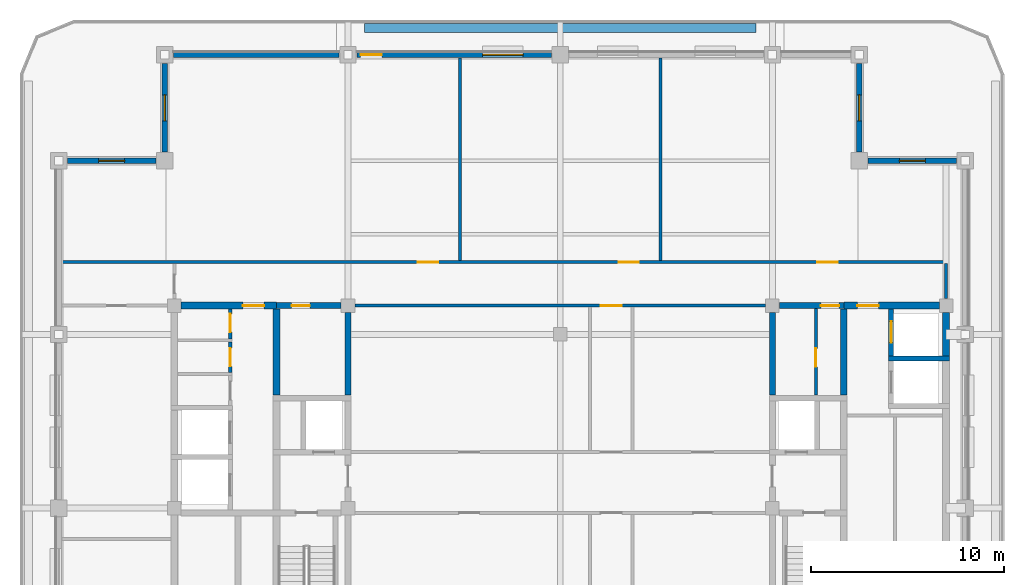
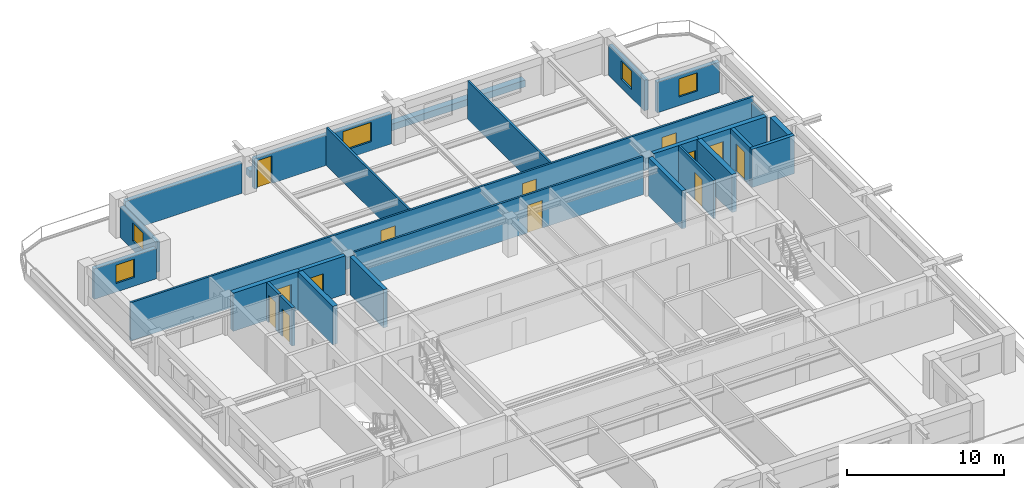
# One storey, part 5 of 11: 26 walls, 13 doors, 5 windows, 18 openings.
"""IFC4 building model written with IfcOpenShell, lengths in metres."""

from ifc_helpers import new_model, si_unit, direction, frame, frame_2d, origin, place, context, subcontext, project, spatial, rectangle, extrude, material, layer, layer_set, type_object, element, fill, save


model = new_model("IFC4")

# Units and contexts
model_context = context("Model", 3, precision=1e-05, world=origin(), true_north=direction((0.0, 1.0)))
body_context = subcontext(model_context, "Body", "Model", "MODEL_VIEW")
ifc_project = project(units=[si_unit("LENGTHUNIT", "METRE"), si_unit("AREAUNIT", "SQUARE_METRE"), si_unit("VOLUMEUNIT", "CUBIC_METRE"), si_unit("PLANEANGLEUNIT", "RADIAN"), si_unit("MASSUNIT", "GRAM", prefix="KILO")], contexts=[model_context])

# Site, building, storey
site_placement = place(None, origin())
site = spatial("IfcSite", under=ifc_project, at=site_placement, CompositionType="ELEMENT")
building_placement = place(site_placement, origin())
building = spatial("IfcBuilding", under=site, at=building_placement, Name="Zulmaris Gate Convention Tower", CompositionType="ELEMENT")
storey_placement = place(building_placement, frame((0.0, 0.0, 257.659912109375)))
storey = spatial("IfcBuildingStorey", under=building, at=storey_placement, Name="L68", CompositionType="ELEMENT", Elevation=257.659912109375)

# Wall
ifc_material_1 = material(Name="Concrete C50/60", Category="concrete")
ifc_layer_1 = layer(ifc_material_1, 0.25, Name="Concrete C50/60")
ifc_layer_set_1 = layer_set([ifc_layer_1], Name="Concrete C50/60")
wall_type_1 = type_object("IfcWallType", Name="CORE-250", PredefinedType="SOLIDWALL", material=ifc_layer_set_1)
wall_1_placement = place(storey_placement, frame((17.02490234375, 7.75, 0.0), z_axis=(0.0, 0.0, 1.0), x_axis=(1.0, 0.0, 0.0)))
element("IfcWall", 1, at=wall_1_placement, inside=storey, type_object=wall_type_1, Name="WL-L68-014", PredefinedType="SOLIDWALL", context=body_context, shape_type="SweptSolid", body=[
    extrude(rectangle(XDim=3.150146484375, YDim=0.25, at=frame_2d((1.5751953125, 0.0))), origin(), (0.0, 0.0, 1.0), 2.97998046875),
])

# Wall, opening, door
wall_2_placement = place(storey_placement, frame((17.14990234375, 7.876953125, 0.0), z_axis=(0.0, 0.0, 1.0), x_axis=(0.0, 1.0, 0.0)))
wall_2 = element("IfcWall", 2, at=wall_2_placement, inside=storey, type_object=wall_type_1, Name="WL-L68-061", PredefinedType="SOLIDWALL", context=body_context, shape_type="SweptSolid", body=[
    extrude(rectangle(XDim=2.446044921875, YDim=0.25, at=frame_2d((1.22314453125, 0.0))), origin(), (0.0, 0.0, 1.0), 2.97998046875),
])
opening_1_placement = place(wall_2_placement, frame((0.697998046875, 0.0, 0.0)))
opening_1 = element("IfcOpeningElement", 3, at=opening_1_placement, cuts=wall_2, Name="Opening D-06", PredefinedType="OPENING", context=body_context, shape_type="SweptSolid", body=[
    extrude(rectangle(XDim=1.10009765625, YDim=2.199951171875, at=frame_2d((0.550048828125, 1.10009765625))), frame((0.0, 0.135009765625, 0.0), z_axis=(0.0, -1.0, 0.0), x_axis=(1.0, 0.0, 0.0)), (0.0, 0.0, 1.0), 0.27001953125),
])
ifc_material_2 = material(Name="Brushed Stainless Steel", Category="steel")
door_type_1 = type_object("IfcDoorType", Name="LD-1100", OperationType="NOTDEFINED", PredefinedType="DOOR", material=ifc_material_2)
door_1_placement = place(opening_1_placement, origin())
door_1 = element("IfcDoor", 4, at=door_1_placement, inside=storey, type_object=door_type_1, Name="L68 Lift Landing Door HP-02 18", OperationType="SLIDING_TO_RIGHT", OverallHeight=2.199951171875, OverallWidth=1.10009765625, PredefinedType="DOOR", context=body_context, shape_type="SweptSolid", body=[
    extrude(rectangle(XDim=1.10009765625, YDim=2.199951171875, at=frame_2d((0.550048828125, 1.10009765625))), frame((0.0, 0.02490234375, 0.0), z_axis=(0.0, -1.0, 0.0), x_axis=(1.0, 0.0, 0.0)), (0.0, 0.0, 1.0), 0.050048828125),
])
fill(opening_1, door_1)

ifc_layer_2 = layer(ifc_material_1, 0.300048828125, Name="Concrete C50/60")
ifc_layer_set_2 = layer_set([ifc_layer_2], Name="Concrete C50/60")
wall_type_2 = type_object("IfcWallType", Name="CORE-300", PredefinedType="SHEAR", material=ifc_layer_set_2)
wall_3_placement = place(storey_placement, frame((-14.699951171875, 10.5, 0.0), z_axis=(0.0, 0.0, 1.0), x_axis=(1.0, 0.0, 0.0)))
wall_3 = element("IfcWall", 5, at=wall_3_placement, inside=storey, type_object=wall_type_2, Name="WL-L68-016", PredefinedType="SHEAR", context=body_context, shape_type="SweptSolid", body=[
    extrude(rectangle(XDim=3.345947265625, YDim=0.300048828125, at=frame_2d((1.6728515625, 0.0))), origin(), (0.0, 0.0, 1.0), 2.97998046875),
])
opening_2_placement = place(wall_3_placement, frame((0.77490234375, 0.0, 0.0)))
opening_2 = element("IfcOpeningElement", 6, at=opening_2_placement, cuts=wall_3, Name="Opening D-11", PredefinedType="OPENING", context=body_context, shape_type="SweptSolid", body=[
    extrude(rectangle(XDim=0.949951171875, YDim=2.14990234375, at=frame_2d((0.47509765625, 1.074951171875))), frame((0.0, 0.16015625, 0.0), z_axis=(0.0, -1.0, 0.0), x_axis=(1.0, 0.0, 0.0)), (0.0, 0.0, 1.0), 0.320068359375),
])
ifc_material_3 = material(Name="Fire-Rated Timber", Category="wood")
door_type_2 = type_object("IfcDoorType", Name="DR-950-FD", OperationType="NOTDEFINED", PredefinedType="DOOR", material=ifc_material_3)
door_2_placement = place(opening_2_placement, origin())
door_2 = element("IfcDoor", 7, at=door_2_placement, inside=storey, type_object=door_type_2, Name="L68 Core Archive Door 07", OperationType="SINGLE_SWING_LEFT", OverallHeight=2.14990234375, OverallWidth=0.949951171875, PredefinedType="DOOR", context=body_context, shape_type="SweptSolid", body=[
    extrude(rectangle(XDim=0.949951171875, YDim=2.14990234375, at=frame_2d((0.47509765625, 1.074951171875))), frame((0.0, 0.02490234375, 0.0), z_axis=(0.0, -1.0, 0.0), x_axis=(1.0, 0.0, 0.0)), (0.0, 0.0, 1.0), 0.050048828125),
])
fill(opening_2, door_2)

wall_4_placement = place(storey_placement, frame((11.35400390625, 10.5, 0.0), z_axis=(0.0, 0.0, 1.0), x_axis=(1.0, 0.0, 0.0)))
wall_4 = element("IfcWall", 8, at=wall_4_placement, inside=storey, type_object=wall_type_2, Name="WL-L68-017", PredefinedType="SHEAR", context=body_context, shape_type="SweptSolid", body=[
    extrude(rectangle(XDim=3.345947265625, YDim=0.300048828125, at=frame_2d((1.6728515625, 0.0))), origin(), (0.0, 0.0, 1.0), 2.97998046875),
])
opening_3_placement = place(wall_4_placement, frame((2.15087890625, 0.0, 0.0)))
opening_3 = element("IfcOpeningElement", 9, at=opening_3_placement, cuts=wall_4, Name="Opening D-11", PredefinedType="OPENING", context=body_context, shape_type="SweptSolid", body=[
    extrude(rectangle(XDim=0.949951171875, YDim=2.14990234375, at=frame_2d((0.47509765625, 1.074951171875))), frame((0.0, 0.16015625, 0.0), z_axis=(0.0, -1.0, 0.0), x_axis=(1.0, 0.0, 0.0)), (0.0, 0.0, 1.0), 0.320068359375),
])
door_3_placement = place(opening_3_placement, origin())
door_3 = element("IfcDoor", 10, at=door_3_placement, inside=storey, type_object=door_type_2, Name="L68 Core Linen Closet Door 08", OperationType="SINGLE_SWING_RIGHT", OverallHeight=2.14990234375, OverallWidth=0.949951171875, PredefinedType="DOOR", context=body_context, shape_type="SweptSolid", body=[
    extrude(rectangle(XDim=0.949951171875, YDim=2.14990234375, at=frame_2d((0.47509765625, 1.074951171875))), frame((0.0, 0.02490234375, 0.0), z_axis=(0.0, -1.0, 0.0), x_axis=(1.0, 0.0, 0.0)), (0.0, 0.0, 1.0), 0.050048828125),
])
fill(opening_3, door_3)

# Walls
for number, where, z_axis, x_axis, name in (
    (11, (-11.0, 5.85205078125, 0.0), (0.0, 0.0, 1.0), (0.0, 1.0, 0.0), "WL-L68-049"),
    (12, (11.0, 5.85205078125, 0.0), (0.0, 0.0, 1.0), (0.0, 1.0, 0.0), "WL-L68-053"),
):
    element("IfcWall", number, at=place(storey_placement, frame(where, z_axis=z_axis, x_axis=x_axis)), inside=storey, type_object=wall_type_2, Name=name, PredefinedType="SHEAR", context=body_context, shape_type="SweptSolid", body=[
        extrude(rectangle(XDim=4.2939453125, YDim=0.300048828125, at=frame_2d((2.14697265625, 0.0))), origin(), (0.0, 0.0, 1.0), 2.97998046875),
    ])

# Wall, opening, door
ifc_material_4 = material(Name="Concrete C55/67", Category="concrete")
ifc_layer_3 = layer(ifc_material_4, 0.35009765625, Name="Concrete C55/67")
ifc_layer_set_3 = layer_set([ifc_layer_3], Name="Concrete C55/67")
wall_type_3 = type_object("IfcWallType", Name="CORE-350", PredefinedType="SHEAR", material=ifc_layer_set_3)
wall_5_placement = place(storey_placement, frame((-19.64599609375, 10.5, 0.0), z_axis=(0.0, 0.0, 1.0), x_axis=(1.0, 0.0, 0.0)))
wall_5 = element("IfcWall", 13, at=wall_5_placement, inside=storey, type_object=wall_type_3, Name="WL-L68-015", PredefinedType="SHEAR", context=body_context, shape_type="SweptSolid", body=[
    extrude(rectangle(XDim=4.946044921875, YDim=0.35009765625, at=frame_2d((2.47314453125, 0.0))), origin(), (0.0, 0.0, 1.0), 2.97998046875),
])
opening_4_placement = place(wall_5_placement, frame((3.196044921875, 0.0, 0.0)))
opening_4 = element("IfcOpeningElement", 14, at=opening_4_placement, cuts=wall_5, Name="Opening D-08", PredefinedType="OPENING", context=body_context, shape_type="SweptSolid", body=[
    extrude(rectangle(XDim=1.10009765625, YDim=2.14990234375, at=frame_2d((0.550048828125, 1.074951171875))), frame((0.0, 0.18505859375, 0.0), z_axis=(0.0, -1.0, 0.0), x_axis=(1.0, 0.0, 0.0)), (0.0, 0.0, 1.0), 0.3701171875),
])
ifc_material_5 = material(Name="Fire-Rated Steel", Category="steel")
door_type_3 = type_object("IfcDoorType", Name="DR-1100-FD", OperationType="NOTDEFINED", PredefinedType="DOOR", material=ifc_material_5)
door_4_placement = place(opening_4_placement, origin())
door_4 = element("IfcDoor", 15, at=door_4_placement, inside=storey, type_object=door_type_3, Name="L68 High-Rise West Lift Lobby Door 13", OperationType="SINGLE_SWING_LEFT", OverallHeight=2.14990234375, OverallWidth=1.10009765625, PredefinedType="DOOR", context=body_context, shape_type="SweptSolid", body=[
    extrude(rectangle(XDim=1.10009765625, YDim=2.14990234375, at=frame_2d((0.550048828125, 1.074951171875))), frame((0.0, 0.02490234375, 0.0), z_axis=(0.0, -1.0, 0.0), x_axis=(1.0, 0.0, 0.0)), (0.0, 0.0, 1.0), 0.050048828125),
])
fill(opening_4, door_4)

wall_6_placement = place(storey_placement, frame((14.699951171875, 10.5, 0.0), z_axis=(0.0, 0.0, 1.0), x_axis=(1.0, 0.0, 0.0)))
wall_6 = element("IfcWall", 16, at=wall_6_placement, inside=storey, type_object=wall_type_3, Name="WL-L68-018", PredefinedType="SHEAR", context=body_context, shape_type="SweptSolid", body=[
    extrude(rectangle(XDim=4.946044921875, YDim=0.35009765625, at=frame_2d((2.47314453125, 0.0))), origin(), (0.0, 0.0, 1.0), 2.97998046875),
])
opening_5_placement = place(wall_6_placement, frame((0.699951171875, 0.0, 0.0)))
opening_5 = element("IfcOpeningElement", 17, at=opening_5_placement, cuts=wall_6, Name="Opening D-08", PredefinedType="OPENING", context=body_context, shape_type="SweptSolid", body=[
    extrude(rectangle(XDim=1.10009765625, YDim=2.14990234375, at=frame_2d((0.550048828125, 1.074951171875))), frame((0.0, 0.18505859375, 0.0), z_axis=(0.0, -1.0, 0.0), x_axis=(1.0, 0.0, 0.0)), (0.0, 0.0, 1.0), 0.3701171875),
])
door_5_placement = place(opening_5_placement, origin())
door_5 = element("IfcDoor", 18, at=door_5_placement, inside=storey, type_object=door_type_3, Name="L68 High-Rise East Lift Lobby Door 19", OperationType="SINGLE_SWING_LEFT", OverallHeight=2.14990234375, OverallWidth=1.10009765625, PredefinedType="DOOR", context=body_context, shape_type="SweptSolid", body=[
    extrude(rectangle(XDim=1.10009765625, YDim=2.14990234375, at=frame_2d((0.550048828125, 1.074951171875))), frame((0.0, 0.02490234375, 0.0), z_axis=(0.0, -1.0, 0.0), x_axis=(1.0, 0.0, 0.0)), (0.0, 0.0, 1.0), 0.050048828125),
])
fill(opening_5, door_5)

# Walls
for number, where, z_axis, x_axis, name in (
    (19, (-14.699951171875, 5.85205078125, 0.0), (0.0, 0.0, 1.0), (0.0, 1.0, 0.0), "WL-L68-043"),
    (20, (14.699951171875, 5.85205078125, 0.0), (0.0, 0.0, 1.0), (0.0, 1.0, 0.0), "WL-L68-059"),
):
    element("IfcWall", number, at=place(storey_placement, frame(where, z_axis=z_axis, x_axis=x_axis)), inside=storey, type_object=wall_type_3, Name=name, PredefinedType="SHEAR", context=body_context, shape_type="SweptSolid", body=[
        extrude(rectangle(XDim=4.470947265625, YDim=0.35009765625, at=frame_2d((2.2353515625, 0.0))), origin(), (0.0, 0.0, 1.0), 2.97998046875),
    ])
wall_7_placement = place(storey_placement, frame((20.0, 7.876953125, 0.0), z_axis=(0.0, 0.0, 1.0), x_axis=(0.0, 1.0, 0.0)))
element("IfcWall", 21, at=wall_7_placement, inside=storey, type_object=wall_type_3, Name="WL-L68-064", PredefinedType="SHEAR", context=body_context, shape_type="SweptSolid", body=[
    extrude(rectangle(XDim=2.26904296875, YDim=0.35009765625, at=frame_2d((1.134521484375, 0.0))), origin(), (0.0, 0.0, 1.0), 2.97998046875),
])

# Wall, opening, door
ifc_material_6 = material(Name="Gypsum Metal Stud Partition")
ifc_layer_4 = layer(ifc_material_6, 0.14990234375, Name="Gypsum Metal Stud Partition")
ifc_layer_set_4 = layer_set([ifc_layer_4], Name="Gypsum Metal Stud Partition")
wall_type_4 = type_object("IfcWallType", Name="PART-150", PredefinedType="PARTITIONING", material=ifc_layer_set_4)
wall_8_placement = place(storey_placement, frame((-10.64404296875, 10.5, 0.0), z_axis=(0.0, 0.0, 1.0), x_axis=(1.0, 0.0, 0.0)))
wall_8 = element("IfcWall", 22, at=wall_8_placement, inside=storey, type_object=wall_type_4, Name="WL-L68-031", PredefinedType="PARTITIONING", context=body_context, shape_type="SweptSolid", body=[
    extrude(rectangle(XDim=21.2880859375, YDim=0.14990234375, at=frame_2d((10.64404296875, 0.0))), origin(), (0.0, 0.0, 1.0), 2.97998046875),
])
opening_6_placement = place(wall_8_placement, frame((12.743896484375, 0.0, 0.0)))
opening_6 = element("IfcOpeningElement", 23, at=opening_6_placement, cuts=wall_8, Name="Opening D-08", PredefinedType="OPENING", context=body_context, shape_type="SweptSolid", body=[
    extrude(rectangle(XDim=1.10009765625, YDim=2.14990234375, at=frame_2d((0.550048828125, 1.074951171875))), frame((0.0, 0.0849609375, 0.0), z_axis=(0.0, -1.0, 0.0), x_axis=(1.0, 0.0, 0.0)), (0.0, 0.0, 1.0), 0.169921875),
])
door_6_placement = place(opening_6_placement, origin())
door_6 = element("IfcDoor", 24, at=door_6_placement, inside=storey, type_object=door_type_3, Name="L68 Exec North Link Door 24", OperationType="SINGLE_SWING_RIGHT", OverallHeight=2.14990234375, OverallWidth=1.10009765625, PredefinedType="DOOR", context=body_context, shape_type="SweptSolid", body=[
    extrude(rectangle(XDim=1.10009765625, YDim=2.14990234375, at=frame_2d((0.550048828125, 1.074951171875))), frame((0.0, 0.02490234375, 0.0), z_axis=(0.0, -1.0, 0.0), x_axis=(1.0, 0.0, 0.0)), (0.0, 0.0, 1.0), 0.050048828125),
])
fill(opening_6, door_6)

# Wall, openings, doors
wall_9_placement = place(storey_placement, frame((-25.8349609375, 12.75, 0.0), z_axis=(0.0, 0.0, 1.0), x_axis=(1.0, 0.0, 0.0)))
wall_9 = element("IfcWall", 25, at=wall_9_placement, inside=storey, type_object=wall_type_4, Name="WL-L68-032", PredefinedType="PARTITIONING", context=body_context, shape_type="SweptSolid", body=[
    extrude(rectangle(XDim=45.909912109375, YDim=0.14990234375, at=frame_2d((22.955078125, 0.0))), origin(), (0.0, 0.0, 1.0), 2.97998046875),
])
opening_7_placement = place(wall_9_placement, frame((18.4599609375, 0.0, 0.0)))
opening_7 = element("IfcOpeningElement", 26, at=opening_7_placement, cuts=wall_9, Name="Opening D-09", PredefinedType="OPENING", context=body_context, shape_type="SweptSolid", body=[
    extrude(rectangle(XDim=1.050048828125, YDim=2.14990234375, at=frame_2d((0.52490234375, 1.074951171875))), frame((0.0, 0.0849609375, 0.0), z_axis=(0.0, -1.0, 0.0), x_axis=(1.0, 0.0, 0.0)), (0.0, 0.0, 1.0), 0.169921875),
])
opening_8_placement = place(wall_9_placement, frame((28.860107421875, 0.0, 0.0)))
opening_8 = element("IfcOpeningElement", 27, at=opening_8_placement, cuts=wall_9, Name="Opening D-09", PredefinedType="OPENING", context=body_context, shape_type="SweptSolid", body=[
    extrude(rectangle(XDim=1.050048828125, YDim=2.14990234375, at=frame_2d((0.52490234375, 1.074951171875))), frame((0.0, 0.0849609375, 0.0), z_axis=(0.0, -1.0, 0.0), x_axis=(1.0, 0.0, 0.0)), (0.0, 0.0, 1.0), 0.169921875),
])
opening_9_placement = place(wall_9_placement, frame((39.159912109375, 0.0, 0.0)))
opening_9 = element("IfcOpeningElement", 28, at=opening_9_placement, cuts=wall_9, Name="Opening D-09", PredefinedType="OPENING", context=body_context, shape_type="SweptSolid", body=[
    extrude(rectangle(XDim=1.050048828125, YDim=2.14990234375, at=frame_2d((0.52490234375, 1.074951171875))), frame((0.0, 0.0849609375, 0.0), z_axis=(0.0, -1.0, 0.0), x_axis=(1.0, 0.0, 0.0)), (0.0, 0.0, 1.0), 0.169921875),
])
door_type_4 = type_object("IfcDoorType", Name="DR-1050-FD", OperationType="NOTDEFINED", PredefinedType="DOOR", material=ifc_material_5)
door_7_placement = place(opening_7_placement, origin())
door_7 = element("IfcDoor", 29, at=door_7_placement, inside=storey, type_object=door_type_4, Name="L68 Executive Boardroom Door 28", OperationType="SINGLE_SWING_RIGHT", OverallHeight=2.14990234375, OverallWidth=1.050048828125, PredefinedType="DOOR", context=body_context, shape_type="SweptSolid", body=[
    extrude(rectangle(XDim=1.050048828125, YDim=2.14990234375, at=frame_2d((0.52490234375, 1.074951171875))), frame((0.0, 0.02490234375, 0.0), z_axis=(0.0, -1.0, 0.0), x_axis=(1.0, 0.0, 0.0)), (0.0, 0.0, 1.0), 0.050048828125),
])
fill(opening_7, door_7)
door_8_placement = place(opening_8_placement, origin())
door_8 = element("IfcDoor", 30, at=door_8_placement, inside=storey, type_object=door_type_4, Name="L68 Corporate Strategy Office Door 29", OperationType="SINGLE_SWING_LEFT", OverallHeight=2.14990234375, OverallWidth=1.050048828125, PredefinedType="DOOR", context=body_context, shape_type="SweptSolid", body=[
    extrude(rectangle(XDim=1.050048828125, YDim=2.14990234375, at=frame_2d((0.52490234375, 1.074951171875))), frame((0.0, 0.02490234375, 0.0), z_axis=(0.0, -1.0, 0.0), x_axis=(1.0, 0.0, 0.0)), (0.0, 0.0, 1.0), 0.050048828125),
])
fill(opening_8, door_8)
door_9_placement = place(opening_9_placement, origin())
door_9 = element("IfcDoor", 31, at=door_9_placement, inside=storey, type_object=door_type_4, Name="L68 Project Advisory Studio Door 30", OperationType="SINGLE_SWING_RIGHT", OverallHeight=2.14990234375, OverallWidth=1.050048828125, PredefinedType="DOOR", context=body_context, shape_type="SweptSolid", body=[
    extrude(rectangle(XDim=1.050048828125, YDim=2.14990234375, at=frame_2d((0.52490234375, 1.074951171875))), frame((0.0, 0.02490234375, 0.0), z_axis=(0.0, -1.0, 0.0), x_axis=(1.0, 0.0, 0.0)), (0.0, 0.0, 1.0), 0.050048828125),
])
fill(opening_9, door_9)

# Walls
for number, where, z_axis, x_axis, name in (
    (32, (-5.199951171875, 12.827880859375, 0.0), (0.0, 0.0, 1.0), (0.0, 1.0, 0.0), "WL-L68-071"),
    (33, (5.199951171875, 12.827880859375, 0.0), (0.0, 0.0, 1.0), (0.0, 1.0, 0.0), "WL-L68-078"),
):
    element("IfcWall", number, at=place(storey_placement, frame(where, z_axis=z_axis, x_axis=x_axis)), inside=storey, type_object=wall_type_4, Name=name, PredefinedType="PARTITIONING", context=body_context, shape_type="SweptSolid", body=[
        extrude(rectangle(XDim=10.507080078125, YDim=0.14990234375, at=frame_2d((5.25341796875, 0.0))), origin(), (0.0, 0.0, 1.0), 2.97998046875),
    ])

# Wall, opening, door
wall_10_placement = place(storey_placement, frame((13.25, 5.85302734375, 0.0), z_axis=(0.0, 0.0, 1.0), x_axis=(0.0, 1.0, 0.0)))
wall_10 = element("IfcWall", 34, at=wall_10_placement, inside=storey, type_object=wall_type_4, Name="WL-L68-080", PredefinedType="PARTITIONING", context=body_context, shape_type="SweptSolid", body=[
    extrude(rectangle(XDim=4.493896484375, YDim=0.14990234375, at=frame_2d((2.2470703125, 0.0))), origin(), (0.0, 0.0, 1.0), 2.97998046875),
])
opening_10_placement = place(wall_10_placement, frame((1.471923828125, 0.0, 0.0)))
opening_10 = element("IfcOpeningElement", 35, at=opening_10_placement, cuts=wall_10, Name="Opening D-11", PredefinedType="OPENING", context=body_context, shape_type="SweptSolid", body=[
    extrude(rectangle(XDim=0.949951171875, YDim=2.14990234375, at=frame_2d((0.47509765625, 1.074951171875))), frame((0.0, 0.0849609375, 0.0), z_axis=(0.0, -1.0, 0.0), x_axis=(1.0, 0.0, 0.0)), (0.0, 0.0, 1.0), 0.169921875),
])
door_10_placement = place(opening_10_placement, origin())
door_10 = element("IfcDoor", 36, at=door_10_placement, inside=storey, type_object=door_type_2, Name="L68 Core Service Pantry Door 09", OperationType="SINGLE_SWING_LEFT", OverallHeight=2.14990234375, OverallWidth=0.949951171875, PredefinedType="DOOR", context=body_context, shape_type="SweptSolid", body=[
    extrude(rectangle(XDim=0.949951171875, YDim=2.14990234375, at=frame_2d((0.47509765625, 1.074951171875))), frame((0.0, 0.02490234375, 0.0), z_axis=(0.0, -1.0, 0.0), x_axis=(1.0, 0.0, 0.0)), (0.0, 0.0, 1.0), 0.050048828125),
])
fill(opening_10, door_10)

# Wall
wall_11_placement = place(storey_placement, frame((20.0, 10.85595703125, 0.0), z_axis=(0.0, 0.0, 1.0), x_axis=(0.0, 1.0, 0.0)))
element("IfcWall", 37, at=wall_11_placement, inside=storey, type_object=wall_type_4, Name="WL-L68-084", PredefinedType="PARTITIONING", context=body_context, shape_type="SweptSolid", body=[
    extrude(rectangle(XDim=1.816162109375, YDim=0.14990234375, at=frame_2d((0.908203125, 0.0))), origin(), (0.0, 0.0, 1.0), 2.570068359375),
])

# Wall, opening, door
ifc_material_7 = material(Name="Autoclaved Aerated Concrete Block and Plasterboard", Category="concrete")
ifc_layer_5 = layer(ifc_material_7, 0.199951171875, Name="Autoclaved Aerated Concrete Block and Plasterboard")
ifc_layer_set_5 = layer_set([ifc_layer_5], Name="Autoclaved Aerated Concrete Block and Plasterboard")
wall_type_5 = type_object("IfcWallType", Name="PART-200", PredefinedType="PARTITIONING", material=ifc_layer_set_5)
wall_12_placement = place(storey_placement, frame((-17.10009765625, 7.028076171875, 0.0), z_axis=(0.0, 0.0, 1.0), x_axis=(0.0, 1.0, 0.0)))
wall_12 = element("IfcWall", 38, at=wall_12_placement, inside=storey, type_object=wall_type_5, Name="WL-L68-068", PredefinedType="PARTITIONING", context=body_context, shape_type="SweptSolid", body=[
    extrude(rectangle(XDim=1.593994140625, YDim=0.199951171875, at=frame_2d((0.796875, 0.0))), origin(), (0.0, 0.0, 1.0), 2.97998046875),
])
opening_11_placement = place(wall_12_placement, frame((0.31689453125, 0.0, 0.0)))
opening_11 = element("IfcOpeningElement", 39, at=opening_11_placement, cuts=wall_12, Name="Opening D-11", PredefinedType="OPENING", context=body_context, shape_type="SweptSolid", body=[
    extrude(rectangle(XDim=0.949951171875, YDim=2.14990234375, at=frame_2d((0.47509765625, 1.074951171875))), frame((0.0, 0.10986328125, 0.0), z_axis=(0.0, -1.0, 0.0), x_axis=(1.0, 0.0, 0.0)), (0.0, 0.0, 1.0), 0.219970703125),
])
door_11_placement = place(opening_11_placement, origin())
door_11 = element("IfcDoor", 40, at=door_11_placement, inside=storey, type_object=door_type_2, Name="L68 Ice Pantry Door 15", OperationType="SINGLE_SWING_LEFT", OverallHeight=2.14990234375, OverallWidth=0.949951171875, PredefinedType="DOOR", context=body_context, shape_type="SweptSolid", body=[
    extrude(rectangle(XDim=0.949951171875, YDim=2.14990234375, at=frame_2d((0.47509765625, 1.074951171875))), frame((0.0, 0.02490234375, 0.0), z_axis=(0.0, -1.0, 0.0), x_axis=(1.0, 0.0, 0.0)), (0.0, 0.0, 1.0), 0.050048828125),
])
fill(opening_11, door_11)

wall_13_placement = place(storey_placement, frame((-17.10009765625, 8.778076171875, 0.0), z_axis=(0.0, 0.0, 1.0), x_axis=(0.0, 1.0, 0.0)))
wall_13 = element("IfcWall", 41, at=wall_13_placement, inside=storey, type_object=wall_type_5, Name="WL-L68-069", PredefinedType="PARTITIONING", context=body_context, shape_type="SweptSolid", body=[
    extrude(rectangle(XDim=1.5439453125, YDim=0.199951171875, at=frame_2d((0.77197265625, 0.0))), origin(), (0.0, 0.0, 1.0), 2.97998046875),
])
opening_12_placement = place(wall_13_placement, frame((0.346923828125, 0.0, 0.0)))
opening_12 = element("IfcOpeningElement", 42, at=opening_12_placement, cuts=wall_13, Name="Opening D-11", PredefinedType="OPENING", context=body_context, shape_type="SweptSolid", body=[
    extrude(rectangle(XDim=0.949951171875, YDim=2.14990234375, at=frame_2d((0.47509765625, 1.074951171875))), frame((0.0, 0.10986328125, 0.0), z_axis=(0.0, -1.0, 0.0), x_axis=(1.0, 0.0, 0.0)), (0.0, 0.0, 1.0), 0.219970703125),
])
door_12_placement = place(opening_12_placement, origin())
door_12 = element("IfcDoor", 43, at=door_12_placement, inside=storey, type_object=door_type_2, Name="L68 Housekeeping Door 14", OperationType="SINGLE_SWING_RIGHT", OverallHeight=2.14990234375, OverallWidth=0.949951171875, PredefinedType="DOOR", context=body_context, shape_type="SweptSolid", body=[
    extrude(rectangle(XDim=0.949951171875, YDim=2.14990234375, at=frame_2d((0.47509765625, 1.074951171875))), frame((0.0, 0.02490234375, 0.0), z_axis=(0.0, -1.0, 0.0), x_axis=(1.0, 0.0, 0.0)), (0.0, 0.0, 1.0), 0.050048828125),
])
fill(opening_12, door_12)

# Wall
ifc_material_8 = material(Name="Botanical Green Glazed Precast Concrete C40/50", Category="concrete")
ifc_layer_6 = layer(ifc_material_8, 0.419921875, Name="Botanical Green Glazed Precast Concrete C40/50")
ifc_layer_set_6 = layer_set([ifc_layer_6], Name="Botanical Green Glazed Precast Concrete C40/50")
wall_type_6 = type_object("IfcWallType", Name="PLANTER-CURB-200", PredefinedType="PARAPET", material=ifc_layer_set_6)
wall_14_placement = place(storey_placement, frame((-10.14990234375, 24.8798828125, -0.0400390625), z_axis=(0.0, 0.0, 1.0), x_axis=(1.0, 0.0, 0.0)))
element("IfcWall", 44, at=wall_14_placement, inside=storey, type_object=wall_type_6, Name="L68 Full-Length Balcony Tree Planter Trough", PredefinedType="PARAPET", context=body_context, shape_type="SweptSolid", body=[
    extrude(rectangle(XDim=20.2998046875, YDim=0.47998046875, at=frame_2d((10.14990234375, 0.0))), origin(), (0.0, 0.0, 1.0), 0.52001953125),
])

# Wall, opening, window
ifc_material_9 = material(Name="Precast concrete C40/50", Category="concrete")
ifc_layer_7 = layer(ifc_material_9, 0.300048828125, Name="Precast concrete C40/50")
ifc_layer_set_7 = layer_set([ifc_layer_7], Name="Precast concrete C40/50")
wall_type_7 = type_object("IfcWallType", Name="PRECAST-PIER-300", PredefinedType="STANDARD", material=ifc_layer_set_7)
wall_15_placement = place(storey_placement, frame((20.544921875, 18.0, 0.0), z_axis=(0.0, 0.0, 1.0), x_axis=(-1.0, 0.0, 0.0)))
wall_15 = element("IfcWall", 45, at=wall_15_placement, inside=storey, type_object=wall_type_7, Name="EW-L68-NOTCH-NE1_0", PredefinedType="STANDARD", context=body_context, shape_type="SweptSolid", body=[
    extrude(rectangle(XDim=4.58984375, YDim=0.300048828125, at=frame_2d((2.294921875, 0.0))), origin(), (0.0, 0.0, 1.0), 2.3720703125),
])
opening_13_placement = place(wall_15_placement, frame((1.6201171875, 0.0, 0.679931640625)))
opening_13 = element("IfcOpeningElement", 46, at=opening_13_placement, cuts=wall_15, Name="Opening W-10", PredefinedType="OPENING", context=body_context, shape_type="SweptSolid", body=[
    extrude(rectangle(XDim=1.35009765625, YDim=1.419921875, at=frame_2d((0.675048828125, 0.7099609375))), frame((0.0, 0.16015625, 0.0), z_axis=(0.0, -1.0, 0.0), x_axis=(1.0, 0.0, 0.0)), (0.0, 0.0, 1.0), 0.320068359375),
])
ifc_material_10 = material(Name="Low-E Laminated Double Glazing in Aluminium Frame", Category="aluminium")
window_type_1 = type_object("IfcWindowType", Name="WIN-1350x2000", PartitioningType="SINGLE_PANEL", PredefinedType="WINDOW", material=ifc_material_10)
window_1_placement = place(opening_13_placement, origin())
window_1 = element("IfcWindow", 47, at=window_1_placement, inside=storey, type_object=window_type_1, Name="WN-EW-L68-NOTCH-NE1_0", OverallHeight=1.419921875, OverallWidth=1.35009765625, PartitioningType="SINGLE_PANEL", PredefinedType="WINDOW", context=body_context, shape_type="SweptSolid", body=[
    extrude(rectangle(XDim=1.35009765625, YDim=1.419921875, at=frame_2d((0.675048828125, 0.7099609375))), frame((0.0, 0.030029296875, 0.0), z_axis=(0.0, -1.0, 0.0), x_axis=(1.0, 0.0, 0.0)), (0.0, 0.0, 1.0), 0.06005859375),
])
fill(opening_13, window_1)

wall_16_placement = place(storey_placement, frame((15.5, 18.455078125, 0.0), z_axis=(0.0, 0.0, 1.0), x_axis=(0.0, 1.0, 0.0)))
wall_16 = element("IfcWall", 48, at=wall_16_placement, inside=storey, type_object=wall_type_7, Name="EW-L68-NOTCH-NE2_0", PredefinedType="STANDARD", context=body_context, shape_type="SweptSolid", body=[
    extrude(rectangle(XDim=4.58984375, YDim=0.300048828125, at=frame_2d((2.294921875, 0.0))), origin(), (0.0, 0.0, 1.0), 2.3720703125),
])
opening_14_placement = place(wall_16_placement, frame((1.6201171875, 0.0, 0.679931640625)))
opening_14 = element("IfcOpeningElement", 49, at=opening_14_placement, cuts=wall_16, Name="Opening W-10", PredefinedType="OPENING", context=body_context, shape_type="SweptSolid", body=[
    extrude(rectangle(XDim=1.35009765625, YDim=1.419921875, at=frame_2d((0.675048828125, 0.7099609375))), frame((0.0, 0.16015625, 0.0), z_axis=(0.0, -1.0, 0.0), x_axis=(1.0, 0.0, 0.0)), (0.0, 0.0, 1.0), 0.320068359375),
])
window_2_placement = place(opening_14_placement, origin())
window_2 = element("IfcWindow", 50, at=window_2_placement, inside=storey, type_object=window_type_1, Name="WN-EW-L68-NOTCH-NE2_0", OverallHeight=1.419921875, OverallWidth=1.35009765625, PartitioningType="SINGLE_PANEL", PredefinedType="WINDOW", context=body_context, shape_type="SweptSolid", body=[
    extrude(rectangle(XDim=1.35009765625, YDim=1.419921875, at=frame_2d((0.675048828125, 0.7099609375))), frame((0.0, 0.030029296875, 0.0), z_axis=(0.0, -1.0, 0.0), x_axis=(1.0, 0.0, 0.0)), (0.0, 0.0, 1.0), 0.06005859375),
])
fill(opening_14, window_2)

wall_17_placement = place(storey_placement, frame((-20.5, 23.044921875, 0.0), z_axis=(0.0, 0.0, 1.0), x_axis=(0.0, -1.0, 0.0)))
wall_17 = element("IfcWall", 51, at=wall_17_placement, inside=storey, type_object=wall_type_7, Name="EW-L68-NOTCH-NW1_0", PredefinedType="STANDARD", context=body_context, shape_type="SweptSolid", body=[
    extrude(rectangle(XDim=4.58984375, YDim=0.300048828125, at=frame_2d((2.294921875, 0.0))), origin(), (0.0, 0.0, 1.0), 2.3720703125),
])
opening_15_placement = place(wall_17_placement, frame((1.6201171875, 0.0, 0.679931640625)))
opening_15 = element("IfcOpeningElement", 52, at=opening_15_placement, cuts=wall_17, Name="Opening W-10", PredefinedType="OPENING", context=body_context, shape_type="SweptSolid", body=[
    extrude(rectangle(XDim=1.35009765625, YDim=1.419921875, at=frame_2d((0.675048828125, 0.7099609375))), frame((0.0, 0.16015625, 0.0), z_axis=(0.0, -1.0, 0.0), x_axis=(1.0, 0.0, 0.0)), (0.0, 0.0, 1.0), 0.320068359375),
])
window_3_placement = place(opening_15_placement, origin())
window_3 = element("IfcWindow", 53, at=window_3_placement, inside=storey, type_object=window_type_1, Name="WN-EW-L68-NOTCH-NW1_0", OverallHeight=1.419921875, OverallWidth=1.35009765625, PartitioningType="SINGLE_PANEL", PredefinedType="WINDOW", context=body_context, shape_type="SweptSolid", body=[
    extrude(rectangle(XDim=1.35009765625, YDim=1.419921875, at=frame_2d((0.675048828125, 0.7099609375))), frame((0.0, 0.030029296875, 0.0), z_axis=(0.0, -1.0, 0.0), x_axis=(1.0, 0.0, 0.0)), (0.0, 0.0, 1.0), 0.06005859375),
])
fill(opening_15, window_3)

wall_18_placement = place(storey_placement, frame((-20.955078125, 18.0, 0.0), z_axis=(0.0, 0.0, 1.0), x_axis=(-1.0, 0.0, 0.0)))
wall_18 = element("IfcWall", 54, at=wall_18_placement, inside=storey, type_object=wall_type_7, Name="EW-L68-NOTCH-NW2_0", PredefinedType="STANDARD", context=body_context, shape_type="SweptSolid", body=[
    extrude(rectangle(XDim=4.58984375, YDim=0.300048828125, at=frame_2d((2.294921875, 0.0))), origin(), (0.0, 0.0, 1.0), 2.3720703125),
])
opening_16_placement = place(wall_18_placement, frame((1.6201171875, 0.0, 0.679931640625)))
opening_16 = element("IfcOpeningElement", 55, at=opening_16_placement, cuts=wall_18, Name="Opening W-10", PredefinedType="OPENING", context=body_context, shape_type="SweptSolid", body=[
    extrude(rectangle(XDim=1.35009765625, YDim=1.419921875, at=frame_2d((0.675048828125, 0.7099609375))), frame((0.0, 0.16015625, 0.0), z_axis=(0.0, -1.0, 0.0), x_axis=(1.0, 0.0, 0.0)), (0.0, 0.0, 1.0), 0.320068359375),
])
window_4_placement = place(opening_16_placement, origin())
window_4 = element("IfcWindow", 56, at=window_4_placement, inside=storey, type_object=window_type_1, Name="WN-EW-L68-NOTCH-NW2_0", OverallHeight=1.419921875, OverallWidth=1.35009765625, PartitioningType="SINGLE_PANEL", PredefinedType="WINDOW", context=body_context, shape_type="SweptSolid", body=[
    extrude(rectangle(XDim=1.35009765625, YDim=1.419921875, at=frame_2d((0.675048828125, 0.7099609375))), frame((0.0, 0.030029296875, 0.0), z_axis=(0.0, -1.0, 0.0), x_axis=(1.0, 0.0, 0.0)), (0.0, 0.0, 1.0), 0.06005859375),
])
fill(opening_16, window_4)

# Wall
wall_19_placement = place(storey_placement, frame((-11.455078125, 23.5, 0.0), z_axis=(0.0, 0.0, 1.0), x_axis=(-1.0, 0.0, 0.0)))
element("IfcWall", 57, at=wall_19_placement, inside=storey, type_object=wall_type_7, Name="EW-L68-N-0_0", PredefinedType="STANDARD", context=body_context, shape_type="SweptSolid", body=[
    extrude(rectangle(XDim=8.58984375, YDim=0.300048828125, at=frame_2d((4.294921875, 0.0))), origin(), (0.0, 0.0, 1.0), 2.3720703125),
])

# Wall, openings, door, window
wall_20_placement = place(storey_placement, frame((-0.455078125, 23.5, 0.0), z_axis=(0.0, 0.0, 1.0), x_axis=(-1.0, 0.0, 0.0)))
wall_20 = element("IfcWall", 58, at=wall_20_placement, inside=storey, type_object=wall_type_7, Name="EW-L68-N-1_0", PredefinedType="STANDARD", context=body_context, shape_type="SweptSolid", body=[
    extrude(rectangle(XDim=10.08984375, YDim=0.300048828125, at=frame_2d((5.044921875, 0.0))), origin(), (0.0, 0.0, 1.0), 2.3720703125),
])
opening_17_placement = place(wall_20_placement, frame((8.7900390625, 0.0, 0.0)))
opening_17 = element("IfcOpeningElement", 59, at=opening_17_placement, cuts=wall_20, Name="Opening D-04", PredefinedType="OPENING", context=body_context, shape_type="SweptSolid", body=[
    extrude(rectangle(XDim=1.10009765625, YDim=2.14990234375, at=frame_2d((0.550048828125, 1.074951171875))), frame((0.0, 0.16015625, 0.0), z_axis=(0.0, -1.0, 0.0), x_axis=(1.0, 0.0, 0.0)), (0.0, 0.0, 1.0), 0.320068359375),
])
opening_18_placement = place(wall_20_placement, frame((1.471923828125, 0.0, 0.699951171875)))
opening_18 = element("IfcOpeningElement", 60, at=opening_18_placement, cuts=wall_20, Name="Opening W-05", PredefinedType="OPENING", context=body_context, shape_type="SweptSolid", body=[
    extrude(rectangle(XDim=2.10009765625, YDim=1.5, at=frame_2d((1.050048828125, 0.75))), frame((0.0, 0.16015625, 0.0), z_axis=(0.0, -1.0, 0.0), x_axis=(1.0, 0.0, 0.0)), (0.0, 0.0, 1.0), 0.320068359375),
])
ifc_material_11 = material(Name="Anodised Aluminium and Laminated Glass", Category="aluminium")
door_type_5 = type_object("IfcDoorType", Name="ED-1100", OperationType="SINGLE_SWING_RIGHT", PredefinedType="DOOR", material=ifc_material_11)
door_13_placement = place(opening_17_placement, origin())
door_13 = element("IfcDoor", 61, at=door_13_placement, inside=storey, type_object=door_type_5, Name="L68 N Planted Terrace Door", OperationType="SINGLE_SWING_LEFT", OverallHeight=2.14990234375, OverallWidth=1.10009765625, PredefinedType="DOOR", context=body_context, shape_type="SweptSolid", body=[
    extrude(rectangle(XDim=1.10009765625, YDim=2.14990234375, at=frame_2d((0.550048828125, 1.074951171875))), frame((0.0, 0.02490234375, 0.0), z_axis=(0.0, -1.0, 0.0), x_axis=(1.0, 0.0, 0.0)), (0.0, 0.0, 1.0), 0.050048828125),
])
fill(opening_17, door_13)
window_type_2 = type_object("IfcWindowType", Name="WIN-2100x2400", PartitioningType="SINGLE_PANEL", PredefinedType="WINDOW", material=ifc_material_10)
window_5_placement = place(opening_18_placement, origin())
window_5 = element("IfcWindow", 62, at=window_5_placement, inside=storey, type_object=window_type_2, Name="WN-EW-L68-N-1_0-1", OverallHeight=1.5, OverallWidth=2.10009765625, PartitioningType="SINGLE_PANEL", PredefinedType="WINDOW", context=body_context, shape_type="SweptSolid", body=[
    extrude(rectangle(XDim=2.10009765625, YDim=1.5, at=frame_2d((1.050048828125, 0.75))), frame((0.0, 0.030029296875, 0.0), z_axis=(0.0, -1.0, 0.0), x_axis=(1.0, 0.0, 0.0)), (0.0, 0.0, 1.0), 0.06005859375),
])
fill(opening_18, window_5)

save(model, "model.ifc")
